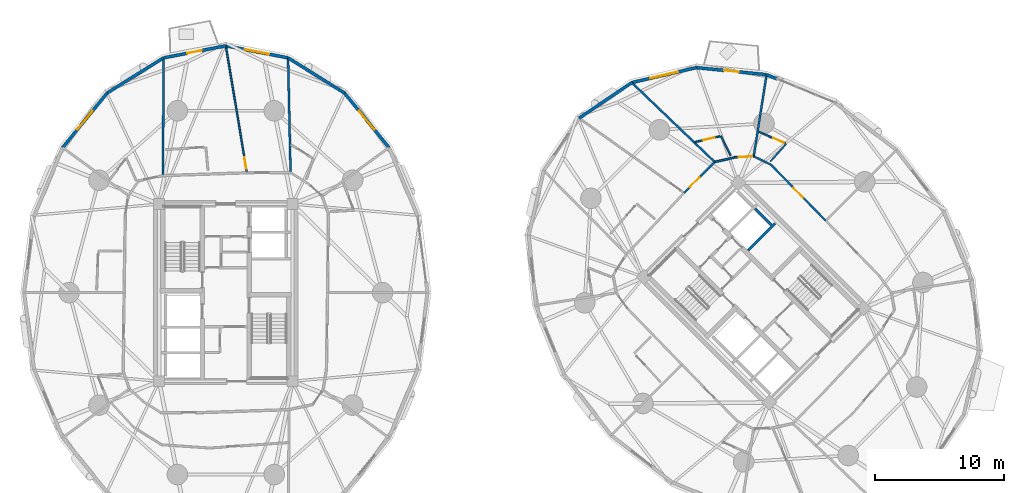
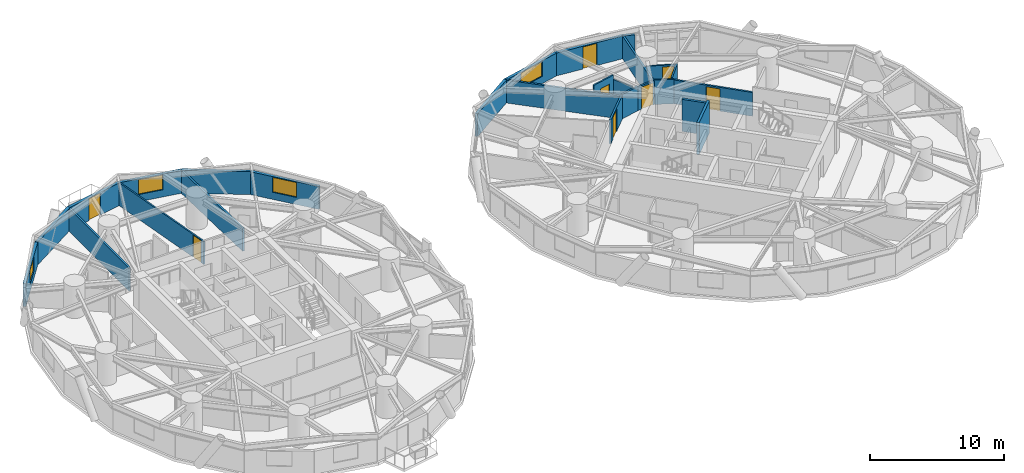
# One storey, part 14 of 18: 26 walls, 8 doors, 4 windows, 12 openings.
"""IFC4 building model written with IfcOpenShell, lengths in metres."""

from ifc_helpers import new_model, si_unit, direction, frame, frame_2d, origin, place, context, subcontext, project, spatial, rectangle, extrude, source, transform, mapped, material, layer, layer_set, type_object, element, fill, save


model = new_model("IFC4")

# Units and contexts
model_context = context("Model", 3, precision=1e-05, world=origin(), true_north=direction((0.0, 1.0)))
body_context = subcontext(model_context, "Body", "Model", "MODEL_VIEW")
ifc_project = project(units=[si_unit("LENGTHUNIT", "METRE"), si_unit("AREAUNIT", "SQUARE_METRE"), si_unit("VOLUMEUNIT", "CUBIC_METRE"), si_unit("PLANEANGLEUNIT", "RADIAN"), si_unit("MASSUNIT", "GRAM", prefix="KILO")], contexts=[model_context])

# Site, building, storey
site_placement = place(None, origin())
site = spatial("IfcSite", under=ifc_project, at=site_placement, CompositionType="ELEMENT")
building_placement = place(site_placement, origin())
building = spatial("IfcBuilding", under=site, at=building_placement, Name="Cununo Teusaquillo Station Towers", CompositionType="ELEMENT")
storey_placement = place(building_placement, frame((0.0, 0.0, 51.10009765625)))
storey = spatial("IfcBuildingStorey", under=building, at=storey_placement, Name="L15", CompositionType="ELEMENT", Elevation=51.10009765625)

# Walls
ifc_material_1 = material(Name="Concrete C50/60", Category="concrete")
ifc_layer_1 = layer(ifc_material_1, 0.199951171875)
ifc_layer_set_1 = layer_set([ifc_layer_1], Name="Concrete C50/60")
wall_type_1 = type_object("IfcWallType", Name="WL-CORE-200", PredefinedType="SHEAR", material=ifc_layer_set_1)
wall_1_placement = place(storey_placement, frame((57.0615234375, 27.781005859375, 0.0), z_axis=(0.0, 0.0, 1.0), x_axis=(0.707106781187, 0.707106781187, 0.0)))
element("IfcWall", 1, at=wall_1_placement, inside=storey, type_object=wall_type_1, Name="L15 Tower B Low-Rise Lift Hoistway South Shear Wall", PredefinedType="SHEAR", context=body_context, shape_type="SweptSolid", body=[
    extrude(rectangle(XDim=2.969970703125, YDim=0.199951171875, at=frame_2d((1.48486328125, 0.0))), origin(), (0.0, 0.0, 1.0), 2.909912109375),
])
wall_2_placement = place(storey_placement, frame((58.86474609375, 29.75390625, 0.0), z_axis=(0.0, 0.0, 1.0), x_axis=(-0.707174411312, 0.707039144592, 0.0)))
element("IfcWall", 2, at=wall_2_placement, inside=storey, type_object=wall_type_1, Name="L15 Tower B Low-Rise Lift 1 Shaft Rear Shear Wall", PredefinedType="SHEAR", context=body_context, shape_type="SweptSolid", body=[
    extrude(rectangle(XDim=1.804931640625, YDim=0.199951171875, at=frame_2d((0.90234375, 0.0))), origin(), (0.0, 0.0, 1.0), 2.909912109375),
])

# Wall, opening, window
ifc_material_2 = material(Name="Precast concrete C40/50", Category="concrete")
ifc_layer_2 = layer(ifc_material_2, 0.239990234375)
ifc_layer_set_2 = layer_set([ifc_layer_2], Name="Precast concrete C40/50")
wall_type_2 = type_object("IfcWallType", Name="WL-EXT-240", PredefinedType="SOLIDWALL", material=ifc_layer_set_2)
wall_3_placement = place(storey_placement, frame((25.70654296875, 40.0087890625, 0.0), z_axis=(0.0, 0.0, 1.0), x_axis=(0.632713287022, -0.77438614168, 0.0)))
wall_3 = element("IfcWall", 3, at=wall_3_placement, inside=storey, type_object=wall_type_2, Name="L15 Tower A Exterior Facade Wall C02", PredefinedType="SOLIDWALL", context=body_context, shape_type="SweptSolid", body=[
    extrude(rectangle(XDim=5.4765625, YDim=0.239990234375, at=frame_2d((2.73828125, 0.0))), origin(), (0.0, 0.0, 1.0), 2.072998046875),
])
shared_shape_1 = source(origin(), body_context, "Body", "SweptSolid", [
    extrude(rectangle(XDim=1.89990234375, YDim=1.35009765625, at=frame_2d((0.949951171875, 0.675048828125))), frame((0.0, 0.1298828125, 0.0), z_axis=(0.0, -1.0, 0.0), x_axis=(1.0, 0.0, 0.0)), (0.0, 0.0, 1.0), 0.260009765625),
])
opening_1_placement = place(wall_3_placement, frame((1.7880859375, 0.0, 0.64990234375)))
opening_1 = element("IfcOpeningElement", 4, at=opening_1_placement, cuts=wall_3, Name="Opening WN-02", PredefinedType="OPENING", context=body_context, shape_type="MappedRepresentation", body=[
    mapped(shared_shape_1, transform((0.0, 0.0, 0.0), x_axis=(1.0, 0.0, 0.0), y_axis=(0.0, 1.0, 0.0), z_axis=(0.0, 0.0, 1.0), scale=1.0)),
])
ifc_material_3 = material(Name="Operable acoustic tinted low-E double glazing", Category="glass")
window_type_1 = type_object("IfcWindowType", Name="WIN-OPER-1900", PartitioningType="DOUBLE_PANEL_VERTICAL", PredefinedType="WINDOW", material=ifc_material_3)
shared_shape_2 = source(origin(), body_context, "Body", "SweptSolid", [
    extrude(rectangle(XDim=1.89990234375, YDim=1.35009765625, at=frame_2d((0.949951171875, 0.675048828125))), frame((0.0, 0.030029296875, 0.0), z_axis=(0.0, -1.0, 0.0), x_axis=(1.0, 0.0, 0.0)), (0.0, 0.0, 1.0), 0.06005859375),
])
window_1_placement = place(opening_1_placement, origin())
window_1 = element("IfcWindow", 5, at=window_1_placement, inside=storey, type_object=window_type_1, Name="L15 Tower A Facade Window C02", OverallHeight=1.35009765625, OverallWidth=1.89990234375, PartitioningType="DOUBLE_PANEL_VERTICAL", PredefinedType="WINDOW", context=body_context, shape_type="MappedRepresentation", body=[
    mapped(shared_shape_2, transform((0.0, 0.0, 0.0), x_axis=(1.0, 0.0, 0.0), y_axis=(0.0, 1.0, 0.0), z_axis=(0.0, 0.0, 1.0), scale=1.0)),
])
fill(opening_1, window_1)

# Wall
wall_4_placement = place(storey_placement, frame((21.340087890625, 42.731689453125, 0.0), z_axis=(0.0, 0.0, 1.0), x_axis=(0.848533613342, -0.529141481107, 0.0)))
element("IfcWall", 6, at=wall_4_placement, inside=storey, type_object=wall_type_2, Name="L15 Tower A Exterior Facade Wall C03", PredefinedType="SOLIDWALL", context=body_context, shape_type="SweptSolid", body=[
    extrude(rectangle(XDim=5.14599609375, YDim=0.239990234375, at=frame_2d((2.572998046875, 0.0))), origin(), (0.0, 0.0, 1.0), 2.072998046875),
])

# Wall, opening, window
wall_5_placement = place(storey_placement, frame((16.5, 43.669921875, 0.0), z_axis=(0.0, 0.0, 1.0), x_axis=(0.981725274071, -0.190303668512, 0.0)))
wall_5 = element("IfcWall", 7, at=wall_5_placement, inside=storey, type_object=wall_type_2, Name="L15 Tower A Exterior Facade Wall C04", PredefinedType="SOLIDWALL", context=body_context, shape_type="SweptSolid", body=[
    extrude(rectangle(XDim=4.93017578125, YDim=0.239990234375, at=frame_2d((2.465087890625, 0.0))), origin(), (0.0, 0.0, 1.0), 2.072998046875),
])
opening_2_placement = place(wall_5_placement, frame((1.514892578125, 0.0, 0.64990234375)))
opening_2 = element("IfcOpeningElement", 8, at=opening_2_placement, cuts=wall_5, Name="Opening WN-02", PredefinedType="OPENING", context=body_context, shape_type="MappedRepresentation", body=[
    mapped(shared_shape_1, transform((0.0, 0.0, 0.0), x_axis=(1.0, 0.0, 0.0), y_axis=(0.0, 1.0, 0.0), z_axis=(0.0, 0.0, 1.0), scale=1.0)),
])
window_2_placement = place(opening_2_placement, origin())
window_2 = element("IfcWindow", 9, at=window_2_placement, inside=storey, type_object=window_type_1, Name="L15 Tower A Facade Window C04", OverallHeight=1.35009765625, OverallWidth=1.89990234375, PartitioningType="DOUBLE_PANEL_VERTICAL", PredefinedType="WINDOW", context=body_context, shape_type="MappedRepresentation", body=[
    mapped(shared_shape_2, transform((0.0, 0.0, 0.0), x_axis=(1.0, 0.0, 0.0), y_axis=(0.0, 1.0, 0.0), z_axis=(0.0, 0.0, 1.0), scale=1.0)),
])
fill(opening_2, window_2)

# Wall, opening, door
wall_6_placement = place(storey_placement, frame((11.659912109375, 42.731689453125, 0.0), z_axis=(0.0, 0.0, 1.0), x_axis=(0.981725274071, 0.190303668512, 0.0)))
wall_6 = element("IfcWall", 10, at=wall_6_placement, inside=storey, type_object=wall_type_2, Name="L15 Tower A Exterior Facade Wall C05", PredefinedType="SOLIDWALL", context=body_context, shape_type="SweptSolid", body=[
    extrude(rectangle(XDim=4.93017578125, YDim=0.239990234375, at=frame_2d((2.465087890625, 0.0))), origin(), (0.0, 0.0, 1.0), 2.072998046875),
])
shared_shape_3 = source(origin(), body_context, "Body", "SweptSolid", [
    extrude(rectangle(XDim=1.14990234375, YDim=2.0048828125, at=frame_2d((0.574951171875, 1.00244140625))), frame((0.0, 0.1298828125, 0.0), z_axis=(0.0, -1.0, 0.0), x_axis=(1.0, 0.0, 0.0)), (0.0, 0.0, 1.0), 0.260009765625),
])
opening_3_placement = place(wall_6_placement, frame((1.889892578125, 0.0, 0.0)))
opening_3 = element("IfcOpeningElement", 11, at=opening_3_placement, cuts=wall_6, Name="Opening ED-03", PredefinedType="OPENING", context=body_context, shape_type="MappedRepresentation", body=[
    mapped(shared_shape_3, transform((0.0, 0.0, 0.0), x_axis=(1.0, 0.0, 0.0), y_axis=(0.0, 1.0, 0.0), z_axis=(0.0, 0.0, 1.0), scale=1.0)),
])
ifc_material_4 = material(Name="Anodised dark bronze aluminium EN AW-6063-T6", Category="aluminium")
door_type_1 = type_object("IfcDoorType", Name="DR-EXT-BAL", OperationType="NOTDEFINED", PredefinedType="DOOR", material=ifc_material_4)
shared_shape_4 = source(origin(), body_context, "Body", "SweptSolid", [
    extrude(rectangle(XDim=1.14990234375, YDim=2.0048828125, at=frame_2d((0.574951171875, 1.00244140625))), frame((0.0, 0.02490234375, 0.0), z_axis=(0.0, -1.0, 0.0), x_axis=(1.0, 0.0, 0.0)), (0.0, 0.0, 1.0), 0.050048828125),
])
door_1_placement = place(opening_3_placement, origin())
door_1 = element("IfcDoor", 12, at=door_1_placement, inside=storey, type_object=door_type_1, Name="L15 Tower A Tree Balcony Door C05", OperationType="SINGLE_SWING_LEFT", OverallHeight=2.0048828125, OverallWidth=1.14990234375, PredefinedType="DOOR", context=body_context, shape_type="MappedRepresentation", body=[
    mapped(shared_shape_4, transform((0.0, 0.0, 0.0), x_axis=(1.0, 0.0, 0.0), y_axis=(0.0, 1.0, 0.0), z_axis=(0.0, 0.0, 1.0), scale=1.0)),
])
fill(opening_3, door_1)

# Wall
wall_7_placement = place(storey_placement, frame((7.29345703125, 40.0087890625, 0.0), z_axis=(0.0, 0.0, 1.0), x_axis=(0.848533613342, 0.529141481107, 0.0)))
element("IfcWall", 13, at=wall_7_placement, inside=storey, type_object=wall_type_2, Name="L15 Tower A Exterior Facade Wall C06", PredefinedType="SOLIDWALL", context=body_context, shape_type="SweptSolid", body=[
    extrude(rectangle(XDim=5.14599609375, YDim=0.239990234375, at=frame_2d((2.572998046875, 0.0))), origin(), (0.0, 0.0, 1.0), 2.072998046875),
])

# Wall, opening, window
wall_8_placement = place(storey_placement, frame((3.828369140625, 35.767822265625, 0.0), z_axis=(0.0, 0.0, 1.0), x_axis=(0.632713287022, 0.77438614168, 0.0)))
wall_8 = element("IfcWall", 14, at=wall_8_placement, inside=storey, type_object=wall_type_2, Name="L15 Tower A Exterior Facade Wall C07", PredefinedType="SOLIDWALL", context=body_context, shape_type="SweptSolid", body=[
    extrude(rectangle(XDim=5.4765625, YDim=0.239990234375, at=frame_2d((2.73828125, 0.0))), origin(), (0.0, 0.0, 1.0), 2.072998046875),
])
opening_4_placement = place(wall_8_placement, frame((1.7880859375, 0.0, 0.64990234375)))
opening_4 = element("IfcOpeningElement", 15, at=opening_4_placement, cuts=wall_8, Name="Opening WN-02", PredefinedType="OPENING", context=body_context, shape_type="MappedRepresentation", body=[
    mapped(shared_shape_1, transform((0.0, 0.0, 0.0), x_axis=(1.0, 0.0, 0.0), y_axis=(0.0, 1.0, 0.0), z_axis=(0.0, 0.0, 1.0), scale=1.0)),
])
window_3_placement = place(opening_4_placement, origin())
window_3 = element("IfcWindow", 16, at=window_3_placement, inside=storey, type_object=window_type_1, Name="L15 Tower A Facade Window C07", OverallHeight=1.35009765625, OverallWidth=1.89990234375, PartitioningType="DOUBLE_PANEL_VERTICAL", PredefinedType="WINDOW", context=body_context, shape_type="MappedRepresentation", body=[
    mapped(shared_shape_2, transform((0.0, 0.0, 0.0), x_axis=(1.0, 0.0, 0.0), y_axis=(0.0, 1.0, 0.0), z_axis=(0.0, 0.0, 1.0), scale=1.0)),
])
fill(opening_4, window_3)

# Wall
wall_9_placement = place(storey_placement, frame((58.49267578125, 41.427734375, 0.0), z_axis=(0.0, 0.0, 1.0), x_axis=(0.924556017656, -0.381046152345, 0.0)))
element("IfcWall", 17, at=wall_9_placement, inside=storey, type_object=wall_type_2, Name="L15 Tower B Column Pier Cladding Wall C01-PA", PredefinedType="SOLIDWALL", context=body_context, shape_type="SweptSolid", body=[
    extrude(rectangle(XDim=0.8701171875, YDim=0.239990234375, at=frame_2d((0.43505859375, 0.0))), origin(), (0.0, 0.0, 1.0), 2.072998046875),
])

# Wall, opening, door
wall_10_placement = place(storey_placement, frame((53.04345703125, 41.976318359375, 0.0), z_axis=(0.0, 0.0, 1.0), x_axis=(0.994970765694, -0.100165739718, 0.0)))
wall_10 = element("IfcWall", 18, at=wall_10_placement, inside=storey, type_object=wall_type_2, Name="L15 Tower B Exterior Facade Wall C02", PredefinedType="SOLIDWALL", context=body_context, shape_type="SweptSolid", body=[
    extrude(rectangle(XDim=5.476806640625, YDim=0.239990234375, at=frame_2d((2.73828125, 0.0))), origin(), (0.0, 0.0, 1.0), 2.072998046875),
])
opening_5_placement = place(wall_10_placement, frame((2.1630859375, 0.0, 0.0)))
opening_5 = element("IfcOpeningElement", 19, at=opening_5_placement, cuts=wall_10, Name="Opening ED-03", PredefinedType="OPENING", context=body_context, shape_type="MappedRepresentation", body=[
    mapped(shared_shape_3, transform((0.0, 0.0, 0.0), x_axis=(1.0, 0.0, 0.0), y_axis=(0.0, 1.0, 0.0), z_axis=(0.0, 0.0, 1.0), scale=1.0)),
])
door_2_placement = place(opening_5_placement, origin())
door_2 = element("IfcDoor", 20, at=door_2_placement, inside=storey, type_object=door_type_1, Name="L15 Tower B Tree Balcony Door C02", OperationType="SINGLE_SWING_LEFT", OverallHeight=2.0048828125, OverallWidth=1.14990234375, PredefinedType="DOOR", context=body_context, shape_type="MappedRepresentation", body=[
    mapped(shared_shape_4, transform((0.0, 0.0, 0.0), x_axis=(1.0, 0.0, 0.0), y_axis=(0.0, 1.0, 0.0), z_axis=(0.0, 0.0, 1.0), scale=1.0)),
])
fill(opening_5, door_2)

# Wall, opening, window
wall_11_placement = place(storey_placement, frame((48.030517578125, 40.814208984375, 0.0), z_axis=(0.0, 0.0, 1.0), x_axis=(0.974166016949, 0.225833060959, 0.0)))
wall_11 = element("IfcWall", 21, at=wall_11_placement, inside=storey, type_object=wall_type_2, Name="L15 Tower B Exterior Facade Wall C03", PredefinedType="SOLIDWALL", context=body_context, shape_type="SweptSolid", body=[
    extrude(rectangle(XDim=5.14599609375, YDim=0.239990234375, at=frame_2d((2.572998046875, 0.0))), origin(), (0.0, 0.0, 1.0), 2.072998046875),
])
shared_shape_5 = source(origin(), body_context, "Body", "SweptSolid", [
    extrude(rectangle(XDim=2.199951171875, YDim=1.35009765625, at=frame_2d((1.10009765625, 0.675048828125))), frame((0.0, 0.1298828125, 0.0), z_axis=(0.0, -1.0, 0.0), x_axis=(1.0, 0.0, 0.0)), (0.0, 0.0, 1.0), 0.260009765625),
])
opening_6_placement = place(wall_11_placement, frame((1.472900390625, 0.0, 0.64990234375)))
opening_6 = element("IfcOpeningElement", 22, at=opening_6_placement, cuts=wall_11, Name="Opening WN-01", PredefinedType="OPENING", context=body_context, shape_type="MappedRepresentation", body=[
    mapped(shared_shape_5, transform((0.0, 0.0, 0.0), x_axis=(1.0, 0.0, 0.0), y_axis=(0.0, 1.0, 0.0), z_axis=(0.0, 0.0, 1.0), scale=1.0)),
])
ifc_material_5 = material(Name="Ceramic-fritted dark low-E double glazing", Category="glass")
window_type_2 = type_object("IfcWindowType", Name="WIN-FRIT-2200", PartitioningType="DOUBLE_PANEL_VERTICAL", PredefinedType="WINDOW", material=ifc_material_5)
shared_shape_6 = source(origin(), body_context, "Body", "SweptSolid", [
    extrude(rectangle(XDim=2.199951171875, YDim=1.35009765625, at=frame_2d((1.10009765625, 0.675048828125))), frame((0.0, 0.030029296875, 0.0), z_axis=(0.0, -1.0, 0.0), x_axis=(1.0, 0.0, 0.0)), (0.0, 0.0, 1.0), 0.06005859375),
])
window_4_placement = place(opening_6_placement, origin())
window_4 = element("IfcWindow", 23, at=window_4_placement, inside=storey, type_object=window_type_2, Name="L15 Tower B Facade Window C03", OverallHeight=1.35009765625, OverallWidth=2.199951171875, PartitioningType="DOUBLE_PANEL_VERTICAL", PredefinedType="WINDOW", context=body_context, shape_type="MappedRepresentation", body=[
    mapped(shared_shape_6, transform((0.0, 0.0, 0.0), x_axis=(1.0, 0.0, 0.0), y_axis=(0.0, 1.0, 0.0), z_axis=(0.0, 0.0, 1.0), scale=1.0)),
])
fill(opening_6, window_4)

# Wall
wall_12_placement = place(storey_placement, frame((43.94482421875, 38.05517578125, 0.0), z_axis=(0.0, 0.0, 1.0), x_axis=(0.828736708604, 0.559638693991, 0.0)))
element("IfcWall", 24, at=wall_12_placement, inside=storey, type_object=wall_type_2, Name="L15 Tower B Exterior Facade Wall C04", PredefinedType="SOLIDWALL", context=body_context, shape_type="SweptSolid", body=[
    extrude(rectangle(XDim=4.929931640625, YDim=0.239990234375, at=frame_2d((2.46484375, 0.0))), origin(), (0.0, 0.0, 1.0), 2.072998046875),
])

# Wall, opening, door
ifc_material_6 = material(Name="Fire-rated gypsum plasterboard partition assembly", Category="gypsum")
ifc_layer_3 = layer(ifc_material_6, 0.125)
ifc_layer_set_3 = layer_set([ifc_layer_3], Name="Fire-rated gypsum plasterboard partition assembly")
wall_type_3 = type_object("IfcWallType", Name="WL-PART-125", PredefinedType="PARTITIONING", material=ifc_layer_set_3)
wall_13_placement = place(storey_placement, frame((18.142822265625, 33.8095703125, 0.0), z_axis=(0.0, 0.0, 1.0), x_axis=(-0.164668829219, 0.986348912243, 0.0)))
wall_13 = element("IfcWall", 25, at=wall_13_placement, inside=storey, type_object=wall_type_3, Name="L15 Tower A Presidential Hospitality Suite Suite Subdividing Wall", PredefinedType="PARTITIONING", context=body_context, shape_type="SweptSolid", body=[
    extrude(rectangle(XDim=9.9765625, YDim=0.125, at=frame_2d((4.98828125, 0.0))), origin(), (0.0, 0.0, 1.0), 2.072998046875),
])
shared_shape_7 = source(origin(), body_context, "Body", "SweptSolid", [
    extrude(rectangle(XDim=0.89990234375, YDim=2.0048828125, at=frame_2d((0.449951171875, 1.00244140625))), frame((0.0, 0.072509765625, 0.0), z_axis=(0.0, -1.0, 0.0), x_axis=(1.0, 0.0, 0.0)), (0.0, 0.0, 1.0), 0.14501953125),
])
opening_7_placement = place(wall_13_placement, frame((0.330078125, 0.0, 0.0)))
opening_7 = element("IfcOpeningElement", 26, at=opening_7_placement, cuts=wall_13, Name="Opening D-IN1", PredefinedType="OPENING", context=body_context, shape_type="MappedRepresentation", body=[
    mapped(shared_shape_7, transform((0.0, 0.0, 0.0), x_axis=(1.0, 0.0, 0.0), y_axis=(0.0, 1.0, 0.0), z_axis=(0.0, 0.0, 1.0), scale=1.0)),
])
ifc_material_7 = material(Name="Acoustic solid-core hardwood leaf assembly", Category="wood")
door_type_2 = type_object("IfcDoorType", Name="DR-INT-900", OperationType="NOTDEFINED", PredefinedType="DOOR", material=ifc_material_7)
shared_shape_8 = source(origin(), body_context, "Body", "SweptSolid", [
    extrude(rectangle(XDim=0.89990234375, YDim=2.0048828125, at=frame_2d((0.449951171875, 1.00244140625))), frame((0.0, 0.02490234375, 0.0), z_axis=(0.0, -1.0, 0.0), x_axis=(1.0, 0.0, 0.0)), (0.0, 0.0, 1.0), 0.050048828125),
])
door_3_placement = place(opening_7_placement, origin())
door_3 = element("IfcDoor", 27, at=door_3_placement, inside=storey, type_object=door_type_2, Name="L15 Tower A Presidential Hospitality Suite Suite Connecting Door", OperationType="SINGLE_SWING_RIGHT", OverallHeight=2.0048828125, OverallWidth=0.89990234375, PredefinedType="DOOR", context=body_context, shape_type="MappedRepresentation", body=[
    mapped(shared_shape_8, transform((0.0, 0.0, 0.0), x_axis=(1.0, 0.0, 0.0), y_axis=(0.0, 1.0, 0.0), z_axis=(0.0, 0.0, 1.0), scale=1.0)),
])
fill(opening_7, door_3)

# Wall
wall_14_placement = place(storey_placement, frame((55.6953125, 35.158203125, 0.0), z_axis=(0.0, 0.0, 1.0), x_axis=(-0.450698346964, 0.892676313142, 0.0)))
element("IfcWall", 28, at=wall_14_placement, inside=storey, type_object=wall_type_3, Name="L15 Tower B S01 En-suite Side Wall", PredefinedType="PARTITIONING", context=body_context, shape_type="SweptSolid", body=[
    extrude(rectangle(XDim=1.6796875, YDim=0.125, at=frame_2d((0.83984375, 0.0))), origin(), (0.0, 0.0, 1.0), 2.204833984375),
])

# Wall, opening, door
wall_15_placement = place(storey_placement, frame((54.877685546875, 36.643798828125, 0.0), z_axis=(0.0, 0.0, 1.0), x_axis=(-0.974554917581, -0.224148862631, 0.0)))
wall_15 = element("IfcWall", 29, at=wall_15_placement, inside=storey, type_object=wall_type_3, Name="L15 Tower B S01 En-suite Back Wall", PredefinedType="PARTITIONING", context=body_context, shape_type="SweptSolid", body=[
    extrude(rectangle(XDim=1.982421875, YDim=0.125, at=frame_2d((0.9912109375, 0.0))), origin(), (0.0, 0.0, 1.0), 2.635009765625),
])
opening_8_placement = place(wall_15_placement, frame((0.43603515625, 0.0, 0.0)))
opening_8 = element("IfcOpeningElement", 30, at=opening_8_placement, cuts=wall_15, Name="Opening D-IN1", PredefinedType="OPENING", context=body_context, shape_type="MappedRepresentation", body=[
    mapped(shared_shape_7, transform((0.0, 0.0, 0.0), x_axis=(1.0, 0.0, 0.0), y_axis=(0.0, 1.0, 0.0), z_axis=(0.0, 0.0, 1.0), scale=1.0)),
])
door_4_placement = place(opening_8_placement, origin())
door_4 = element("IfcDoor", 31, at=door_4_placement, inside=storey, type_object=door_type_2, Name="L15 Tower B S01 En-suite Bathroom Door", OperationType="SINGLE_SWING_RIGHT", OverallHeight=2.0048828125, OverallWidth=0.89990234375, PredefinedType="DOOR", context=body_context, shape_type="MappedRepresentation", body=[
    mapped(shared_shape_8, transform((0.0, 0.0, 0.0), x_axis=(1.0, 0.0, 0.0), y_axis=(0.0, 1.0, 0.0), z_axis=(0.0, 0.0, 1.0), scale=1.0)),
])
fill(opening_8, door_4)

# Wall
wall_16_placement = place(storey_placement, frame((58.7802734375, 34.67578125, 0.0), z_axis=(0.0, 0.0, 1.0), x_axis=(0.6649433297, 0.746893813261, 0.0)))
element("IfcWall", 32, at=wall_16_placement, inside=storey, type_object=wall_type_3, Name="L15 Tower B S09 En-suite Side Wall", PredefinedType="PARTITIONING", context=body_context, shape_type="SweptSolid", body=[
    extrude(rectangle(XDim=1.85595703125, YDim=0.125, at=frame_2d((0.927978515625, 0.0))), origin(), (0.0, 0.0, 1.0), 2.204833984375),
])

# Wall, opening, door
wall_17_placement = place(storey_placement, frame((59.9501953125, 36.090087890625, 0.0), z_axis=(0.0, 0.0, 1.0), x_axis=(-0.916037613906, 0.401092370795, 0.0)))
wall_17 = element("IfcWall", 33, at=wall_17_placement, inside=storey, type_object=wall_type_3, Name="L15 Tower B S09 En-suite Back Wall", PredefinedType="PARTITIONING", context=body_context, shape_type="SweptSolid", body=[
    extrude(rectangle(XDim=2.247314453125, YDim=0.125, at=frame_2d((1.12353515625, 0.0))), origin(), (0.0, 0.0, 1.0), 2.158935546875),
])
opening_9_placement = place(wall_17_placement, frame((0.1201171875, 0.0, 0.0)))
opening_9 = element("IfcOpeningElement", 34, at=opening_9_placement, cuts=wall_17, Name="Opening D-IN1", PredefinedType="OPENING", context=body_context, shape_type="MappedRepresentation", body=[
    mapped(shared_shape_7, transform((0.0, 0.0, 0.0), x_axis=(1.0, 0.0, 0.0), y_axis=(0.0, 1.0, 0.0), z_axis=(0.0, 0.0, 1.0), scale=1.0)),
])
door_5_placement = place(opening_9_placement, origin())
door_5 = element("IfcDoor", 35, at=door_5_placement, inside=storey, type_object=door_type_2, Name="L15 Tower B S09 En-suite Bathroom Door", OperationType="SINGLE_SWING_RIGHT", OverallHeight=2.0048828125, OverallWidth=0.89990234375, PredefinedType="DOOR", context=body_context, shape_type="MappedRepresentation", body=[
    mapped(shared_shape_8, transform((0.0, 0.0, 0.0), x_axis=(1.0, 0.0, 0.0), y_axis=(0.0, 1.0, 0.0), z_axis=(0.0, 0.0, 1.0), scale=1.0)),
])
fill(opening_9, door_5)

ifc_material_8 = material(Name="Fire-rated gypsum plasterboard partition assembly", Category="gypsum")
ifc_layer_4 = layer(ifc_material_8, 0.14990234375)
ifc_layer_set_4 = layer_set([ifc_layer_4], Name="Fire-rated gypsum plasterboard partition assembly")
wall_type_4 = type_object("IfcWallType", Name="WL-PART-150", PredefinedType="PARTITIONING", material=ifc_layer_set_4)
wall_18_placement = place(storey_placement, frame((63.086181640625, 30.086181640625, 0.0), z_axis=(0.0, 0.0, 1.0), x_axis=(-0.699032802832, 0.715089603172, 0.0)))
wall_18 = element("IfcWall", 36, at=wall_18_placement, inside=storey, type_object=wall_type_4, Name="L15 Tower B Corridor Ring Wall C00", PredefinedType="PARTITIONING", context=body_context, shape_type="SweptSolid", body=[
    extrude(rectangle(XDim=6.08203125, YDim=0.14990234375, at=frame_2d((3.041015625, 0.0))), origin(), (0.0, 0.0, 1.0), 2.158935546875),
])
shared_shape_9 = source(origin(), body_context, "Body", "SweptSolid", [
    extrude(rectangle(XDim=1.050048828125, YDim=2.014892578125, at=frame_2d((0.52490234375, 1.00732421875))), frame((0.0, 0.0849609375, 0.0), z_axis=(0.0, -1.0, 0.0), x_axis=(1.0, 0.0, 0.0)), (0.0, 0.0, 1.0), 0.169921875),
])
opening_10_placement = place(wall_18_placement, frame((2.51611328125, 0.0, 0.0)))
opening_10 = element("IfcOpeningElement", 37, at=opening_10_placement, cuts=wall_18, Name="Opening D-SU1", PredefinedType="OPENING", context=body_context, shape_type="MappedRepresentation", body=[
    mapped(shared_shape_9, transform((0.0, 0.0, 0.0), x_axis=(1.0, 0.0, 0.0), y_axis=(0.0, 1.0, 0.0), z_axis=(0.0, 0.0, 1.0), scale=1.0)),
])
ifc_material_9 = material(Name="Acoustic solid-core hardwood leaf assembly", Category="wood")
door_type_3 = type_object("IfcDoorType", Name="DR-SUITE-1050", OperationType="NOTDEFINED", PredefinedType="DOOR", material=ifc_material_9)
shared_shape_10 = source(origin(), body_context, "Body", "SweptSolid", [
    extrude(rectangle(XDim=1.050048828125, YDim=2.014892578125, at=frame_2d((0.52490234375, 1.00732421875))), frame((0.0, 0.02490234375, 0.0), z_axis=(0.0, -1.0, 0.0), x_axis=(1.0, 0.0, 0.0)), (0.0, 0.0, 1.0), 0.050048828125),
])
door_6_placement = place(opening_10_placement, origin())
door_6 = element("IfcDoor", 38, at=door_6_placement, inside=storey, type_object=door_type_3, Name="L15 Tower B Premier Diplomatic Hotel Suite Entrance Door", OperationType="SINGLE_SWING_LEFT", OverallHeight=2.014892578125, OverallWidth=1.050048828125, PredefinedType="DOOR", context=body_context, shape_type="MappedRepresentation", body=[
    mapped(shared_shape_10, transform((0.0, 0.0, 0.0), x_axis=(1.0, 0.0, 0.0), y_axis=(0.0, 1.0, 0.0), z_axis=(0.0, 0.0, 1.0), scale=1.0)),
])
fill(opening_10, door_6)

# Wall
wall_19_placement = place(storey_placement, frame((58.834716796875, 34.435302734375, 0.0), z_axis=(0.0, 0.0, 1.0), x_axis=(-0.900352167336, 0.4351620098, 0.0)))
element("IfcWall", 39, at=wall_19_placement, inside=storey, type_object=wall_type_4, Name="L15 Tower B Corridor Ring Wall C01", PredefinedType="PARTITIONING", context=body_context, shape_type="SweptSolid", body=[
    extrude(rectangle(XDim=1.48779296875, YDim=0.14990234375, at=frame_2d((0.743896484375, 0.0))), origin(), (0.0, 0.0, 1.0), 2.204833984375),
])

# Wall, opening, door
wall_20_placement = place(storey_placement, frame((57.4951171875, 35.082763671875, 0.0), z_axis=(0.0, 0.0, 1.0), x_axis=(-0.998536503254, -0.054081897798, 0.0)))
wall_20 = element("IfcWall", 40, at=wall_20_placement, inside=storey, type_object=wall_type_4, Name="L15 Tower B Corridor Ring Wall C02", PredefinedType="PARTITIONING", context=body_context, shape_type="SweptSolid", body=[
    extrude(rectangle(XDim=1.480712890625, YDim=0.14990234375, at=frame_2d((0.740234375, 0.0))), origin(), (0.0, 0.0, 1.0), 2.158935546875),
])
opening_11_placement = place(wall_20_placement, frame((0.1201171875, 0.0, 0.0)))
opening_11 = element("IfcOpeningElement", 41, at=opening_11_placement, cuts=wall_20, Name="Opening D-SU1", PredefinedType="OPENING", context=body_context, shape_type="MappedRepresentation", body=[
    mapped(shared_shape_9, transform((0.0, 0.0, 0.0), x_axis=(1.0, 0.0, 0.0), y_axis=(0.0, 1.0, 0.0), z_axis=(0.0, 0.0, 1.0), scale=1.0)),
])
door_7_placement = place(opening_11_placement, origin())
door_7 = element("IfcDoor", 42, at=door_7_placement, inside=storey, type_object=door_type_3, Name="L15 Tower B Executive Club Hotel Suite Entrance Door", OperationType="SINGLE_SWING_LEFT", OverallHeight=2.014892578125, OverallWidth=1.050048828125, PredefinedType="DOOR", context=body_context, shape_type="MappedRepresentation", body=[
    mapped(shared_shape_10, transform((0.0, 0.0, 0.0), x_axis=(1.0, 0.0, 0.0), y_axis=(0.0, 1.0, 0.0), z_axis=(0.0, 0.0, 1.0), scale=1.0)),
])
fill(opening_11, door_7)

# Wall
wall_21_placement = place(storey_placement, frame((56.0166015625, 35.002685546875, 0.0), z_axis=(0.0, 0.0, 1.0), x_axis=(-0.974924954781, -0.222533890777, 0.0)))
element("IfcWall", 43, at=wall_21_placement, inside=storey, type_object=wall_type_4, Name="L15 Tower B Corridor Ring Wall C03", PredefinedType="PARTITIONING", context=body_context, shape_type="SweptSolid", body=[
    extrude(rectangle(XDim=1.59521484375, YDim=0.14990234375, at=frame_2d((0.797607421875, 0.0))), origin(), (0.0, 0.0, 1.0), 2.204833984375),
])

# Wall, opening, door
wall_22_placement = place(storey_placement, frame((54.46142578125, 34.647705078125, 0.0), z_axis=(0.0, 0.0, 1.0), x_axis=(-0.70403409755, -0.710166170334, 0.0)))
wall_22 = element("IfcWall", 44, at=wall_22_placement, inside=storey, type_object=wall_type_4, Name="L15 Tower B Corridor Ring Wall C04", PredefinedType="PARTITIONING", context=body_context, shape_type="SweptSolid", body=[
    extrude(rectangle(XDim=3.38427734375, YDim=0.14990234375, at=frame_2d((1.692138671875, 0.0))), origin(), (0.0, 0.0, 1.0), 2.158935546875),
])
opening_12_placement = place(wall_22_placement, frame((1.690673828125, 0.0, 0.0)))
opening_12 = element("IfcOpeningElement", 45, at=opening_12_placement, cuts=wall_22, Name="Opening D-SU1", PredefinedType="OPENING", context=body_context, shape_type="MappedRepresentation", body=[
    mapped(shared_shape_9, transform((0.0, 0.0, 0.0), x_axis=(1.0, 0.0, 0.0), y_axis=(0.0, 1.0, 0.0), z_axis=(0.0, 0.0, 1.0), scale=1.0)),
])
door_8_placement = place(opening_12_placement, origin())
door_8 = element("IfcDoor", 46, at=door_8_placement, inside=storey, type_object=door_type_3, Name="L15 Tower B Presidential Hospitality Suite Entrance Door", OperationType="SINGLE_SWING_LEFT", OverallHeight=2.014892578125, OverallWidth=1.050048828125, PredefinedType="DOOR", context=body_context, shape_type="MappedRepresentation", body=[
    mapped(shared_shape_10, transform((0.0, 0.0, 0.0), x_axis=(1.0, 0.0, 0.0), y_axis=(0.0, 1.0, 0.0), z_axis=(0.0, 0.0, 1.0), scale=1.0)),
])
fill(opening_12, door_8)

# Walls
ifc_material_10 = material(Name="Fire-rated gypsum plasterboard partition assembly", Category="gypsum")
ifc_layer_5 = layer(ifc_material_10, 0.159912109375)
ifc_layer_set_5 = layer_set([ifc_layer_5], Name="Fire-rated gypsum plasterboard partition assembly")
wall_type_5 = type_object("IfcWallType", Name="WL-PART-160", PredefinedType="PARTITIONING", material=ifc_layer_set_5)
wall_23_placement = place(storey_placement, frame((21.52685546875, 33.82421875, 0.0), z_axis=(0.0, 0.0, 1.0), x_axis=(-0.021694017061, 0.999764657119, 0.0)))
element("IfcWall", 47, at=wall_23_placement, inside=storey, type_object=wall_type_5, Name="L15 Tower A Radial Suite Partition R03", PredefinedType="PARTITIONING", context=body_context, shape_type="SweptSolid", body=[
    extrude(rectangle(XDim=8.890625, YDim=0.159912109375, at=frame_2d((4.4453125, 0.0))), origin(), (0.0, 0.0, 1.0), 2.072998046875),
])
wall_24_placement = place(storey_placement, frame((11.619873046875, 33.587890625, 0.0), z_axis=(0.0, 0.0, 1.0), x_axis=(0.005056791532, 0.999987214348, 0.0)))
element("IfcWall", 48, at=wall_24_placement, inside=storey, type_object=wall_type_5, Name="L15 Tower A Radial Suite Partition R04", PredefinedType="PARTITIONING", context=body_context, shape_type="SweptSolid", body=[
    extrude(rectangle(XDim=9.124755859375, YDim=0.159912109375, at=frame_2d((4.5625, 0.0))), origin(), (0.0, 0.0, 1.0), 2.072998046875),
])
wall_25_placement = place(storey_placement, frame((57.4951171875, 35.082763671875, 0.0), z_axis=(0.0, 0.0, 1.0), x_axis=(0.155296837382, 0.987867851638, 0.0)))
element("IfcWall", 49, at=wall_25_placement, inside=storey, type_object=wall_type_5, Name="L15 Tower B Radial Suite Partition R02", PredefinedType="PARTITIONING", context=body_context, shape_type="SweptSolid", body=[
    extrude(rectangle(XDim=6.403076171875, YDim=0.159912109375, at=frame_2d((3.20166015625, 0.0))), origin(), (0.0, 0.0, 1.0), 2.072998046875),
])
wall_26_placement = place(storey_placement, frame((54.46142578125, 34.647705078125, 0.0), z_axis=(0.0, 0.0, 1.0), x_axis=(-0.722290498621, 0.691589788532, 0.0)))
element("IfcWall", 50, at=wall_26_placement, inside=storey, type_object=wall_type_5, Name="L15 Tower B Radial Suite Partition R03", PredefinedType="PARTITIONING", context=body_context, shape_type="SweptSolid", body=[
    extrude(rectangle(XDim=8.890625, YDim=0.159912109375, at=frame_2d((4.4453125, 0.0))), origin(), (0.0, 0.0, 1.0), 2.072998046875),
])

save(model, "model.ifc")
